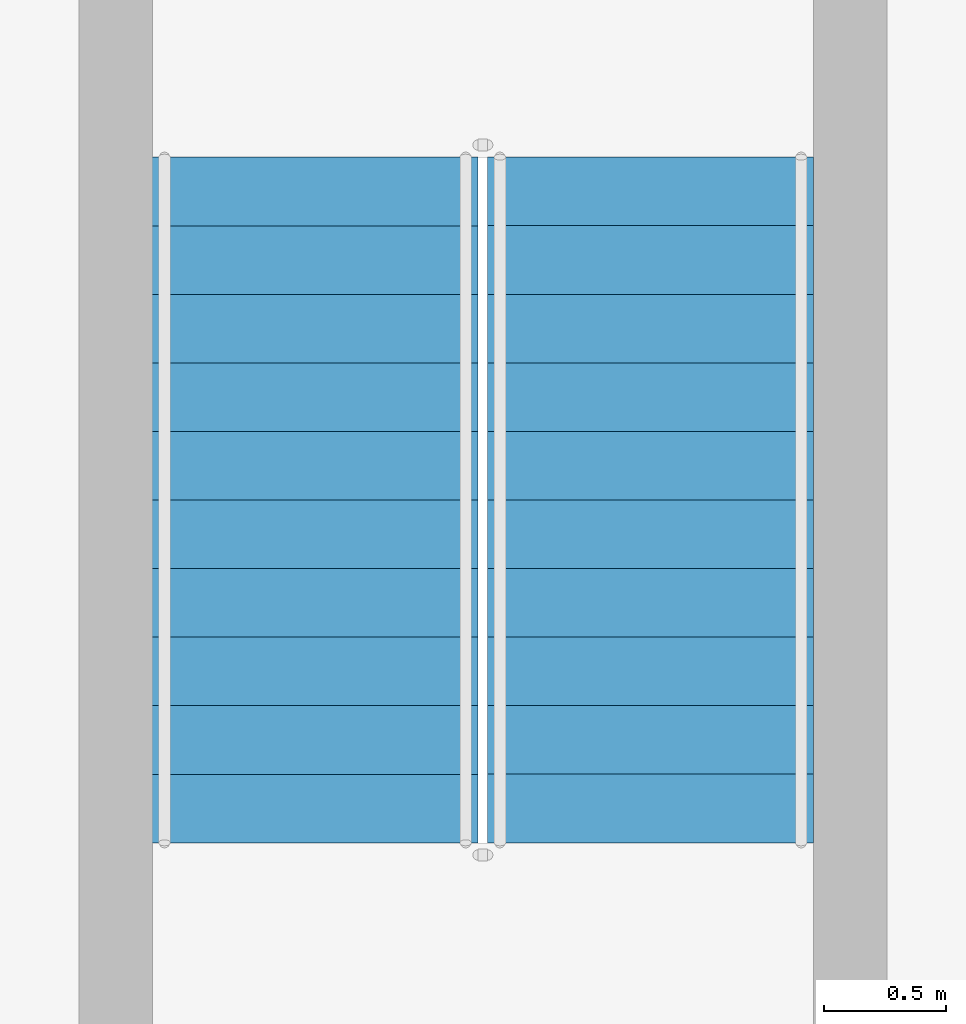
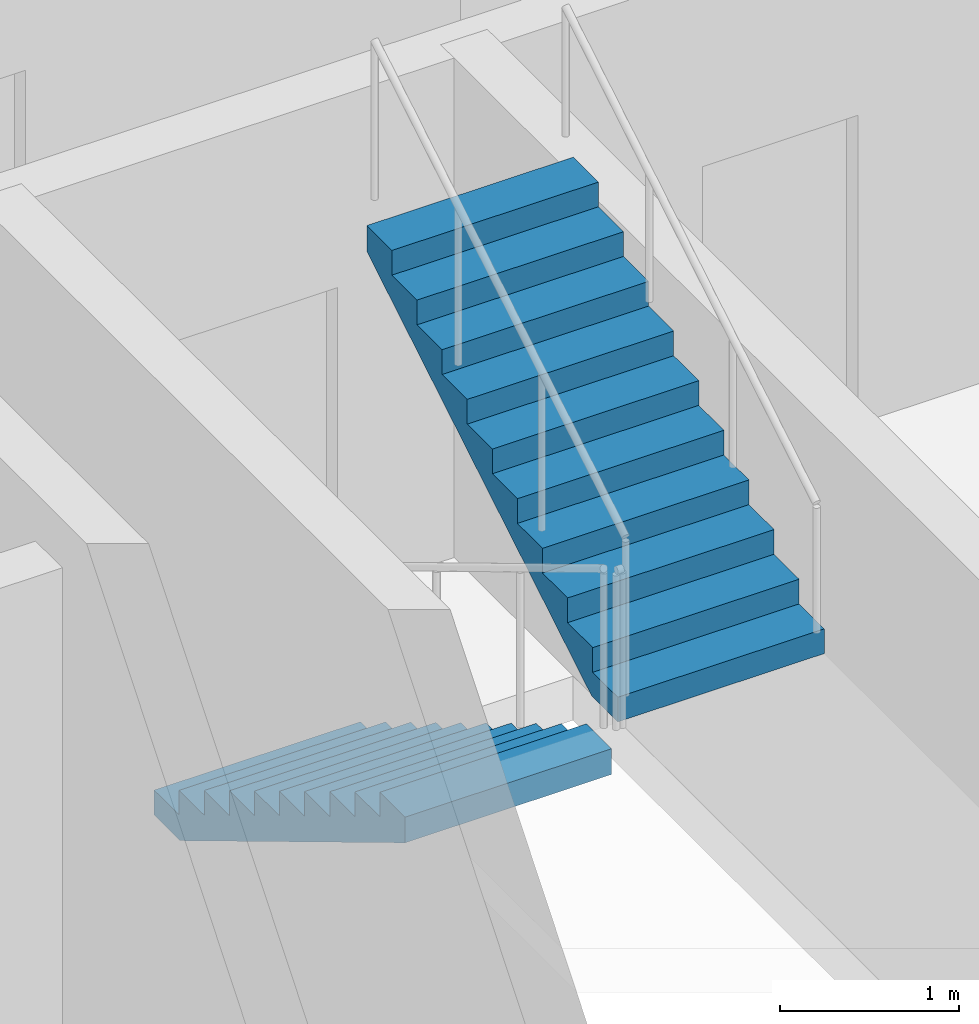
# One storey, part 26 of 33: 2 stair flights, 1 element without a shape of its own.
"""IFC4 building model written with IfcOpenShell, lengths in metres."""

from ifc_helpers import new_model, si_unit, direction, frame, origin, place, context, subcontext, project, spatial, triangles, source, transform, mapped, material, type_object, element, aggregate, save


model = new_model("IFC4")

# Units and contexts
model_context = context("Model", 3, precision=1e-05, world=origin(), true_north=direction((0.0, 1.0)))
body_context = subcontext(model_context, "Body", "Model", "MODEL_VIEW")
ifc_project = project(units=[si_unit("LENGTHUNIT", "METRE"), si_unit("AREAUNIT", "SQUARE_METRE"), si_unit("VOLUMEUNIT", "CUBIC_METRE"), si_unit("PLANEANGLEUNIT", "RADIAN"), si_unit("MASSUNIT", "GRAM", prefix="KILO")], contexts=[model_context])

# Site, building, storey
site_placement = place(None, origin())
site = spatial("IfcSite", under=ifc_project, at=site_placement, CompositionType="ELEMENT")
building_placement = place(site_placement, origin())
building = spatial("IfcBuilding", under=site, at=building_placement, Name="Ogive Portal Towers", CompositionType="ELEMENT")
storey_placement = place(building_placement, frame((0.0, 0.0, 77.89990234375)))
storey = spatial("IfcBuildingStorey", under=building, at=storey_placement, Name="L18", CompositionType="ELEMENT", Elevation=77.89990234375)

# Stair, stair flights
ifc_material = material(Name="Concrete C40/50", Category="concrete")
stair_type = type_object("IfcStairType", Name="INT-STAIR", PredefinedType="HALF_TURN_STAIR", material=ifc_material)
stair_placement = place(storey_placement, origin())
stair = element("IfcStair", 1, at=stair_placement, inside=storey, type_object=stair_type, Name="L18 Exit Stair ST-A4", PredefinedType="HALF_TURN_STAIR")
stair_flight_type = type_object("IfcStairFlightType", Name="INT-FLIGHT", PredefinedType="STRAIGHT", material=ifc_material)
shared_shape = source(origin(), body_context, "Body", "Tessellation", [
    triangles([(0.0, -0.6650390625, 0.0), (0.0, -0.384765625, 0.0), (0.0, -0.197021484375, 0.0), (0.0, -0.0830078125, 0.0), (0.0, -0.024658203125, 0.0), (0.0, -0.003173828125, 0.0), (0.0, 0.0, 0.0), (0.0, 0.003173828125, 0.0), (0.0, 0.024658203125, 0.0), (0.0, 0.0830078125, 0.0), (0.0, 0.197021484375, 0.0), (0.0, 0.384765625, 0.0), (0.0, 0.6650390625, 0.0), (0.0, -0.6650390625, 0.168212890625), (0.0, -0.384765625, 0.168212890625), (0.0, -0.197021484375, 0.168212890625), (0.0, -0.0830078125, 0.168212890625), (0.0, -0.024658203125, 0.168212890625), (0.0, -0.003173828125, 0.168212890625), (0.0, 0.0, 0.168212890625), (0.0, 0.003173828125, 0.168212890625), (0.0, 0.024658203125, 0.168212890625), (0.0, 0.0830078125, 0.168212890625), (0.0, 0.197021484375, 0.168212890625), (0.0, 0.384765625, 0.168212890625), (0.0, 0.6650390625, 0.168212890625), (0.280029296875, -0.6650390625, 0.168212890625), (0.280029296875, -0.384765625, 0.168212890625), (0.280029296875, -0.197021484375, 0.168212890625), (0.280029296875, -0.0830078125, 0.168212890625), (0.280029296875, -0.024658203125, 0.168212890625), (0.280029296875, -0.003173828125, 0.168212890625), (0.280029296875, 0.0, 0.168212890625), (0.280029296875, 0.003173828125, 0.168212890625), (0.280029296875, 0.024658203125, 0.168212890625), (0.280029296875, 0.0830078125, 0.168212890625), (0.280029296875, 0.197021484375, 0.168212890625), (0.280029296875, 0.384765625, 0.168212890625), (0.280029296875, 0.6650390625, 0.168212890625), (0.280029296875, -0.6650390625, 0.33642578125), (0.280029296875, -0.384765625, 0.33642578125), (0.280029296875, -0.197021484375, 0.33642578125), (0.280029296875, -0.0830078125, 0.33642578125), (0.280029296875, -0.024658203125, 0.33642578125), (0.280029296875, -0.003173828125, 0.33642578125), (0.280029296875, 0.0, 0.33642578125), (0.280029296875, 0.003173828125, 0.33642578125), (0.280029296875, 0.024658203125, 0.33642578125), (0.280029296875, 0.0830078125, 0.33642578125), (0.280029296875, 0.197021484375, 0.33642578125), (0.280029296875, 0.384765625, 0.33642578125), (0.280029296875, 0.6650390625, 0.33642578125), (0.56005859375, -0.6650390625, 0.33642578125), (0.56005859375, -0.384765625, 0.33642578125), (0.56005859375, -0.197021484375, 0.33642578125), (0.56005859375, -0.0830078125, 0.33642578125), (0.56005859375, -0.024658203125, 0.33642578125), (0.56005859375, -0.003173828125, 0.33642578125), (0.56005859375, 0.0, 0.33642578125), (0.56005859375, 0.003173828125, 0.33642578125), (0.56005859375, 0.024658203125, 0.33642578125), (0.56005859375, 0.0830078125, 0.33642578125), (0.56005859375, 0.197021484375, 0.33642578125), (0.56005859375, 0.384765625, 0.33642578125), (0.56005859375, 0.6650390625, 0.33642578125), (0.56005859375, -0.6650390625, 0.504638671875), (0.56005859375, -0.384765625, 0.504638671875), (0.56005859375, -0.197021484375, 0.504638671875), (0.56005859375, -0.0830078125, 0.504638671875), (0.56005859375, -0.024658203125, 0.504638671875), (0.56005859375, -0.003173828125, 0.504638671875), (0.56005859375, 0.0, 0.504638671875), (0.56005859375, 0.003173828125, 0.504638671875), (0.56005859375, 0.024658203125, 0.504638671875), (0.56005859375, 0.0830078125, 0.504638671875), (0.56005859375, 0.197021484375, 0.504638671875), (0.56005859375, 0.384765625, 0.504638671875), (0.56005859375, 0.6650390625, 0.504638671875), (0.840087890625, -0.6650390625, 0.504638671875), (0.840087890625, -0.384765625, 0.504638671875), (0.840087890625, -0.197021484375, 0.504638671875), (0.840087890625, -0.0830078125, 0.504638671875), (0.840087890625, -0.024658203125, 0.504638671875), (0.840087890625, -0.003173828125, 0.504638671875), (0.840087890625, 0.0, 0.504638671875), (0.840087890625, 0.003173828125, 0.504638671875), (0.840087890625, 0.024658203125, 0.504638671875), (0.840087890625, 0.0830078125, 0.504638671875), (0.840087890625, 0.197021484375, 0.504638671875), (0.840087890625, 0.384765625, 0.504638671875), (0.840087890625, 0.6650390625, 0.504638671875), (0.840087890625, -0.6650390625, 0.672607421875), (0.840087890625, -0.384765625, 0.672607421875), (0.840087890625, -0.197021484375, 0.672607421875), (0.840087890625, -0.0830078125, 0.672607421875), (0.840087890625, -0.024658203125, 0.672607421875), (0.840087890625, -0.003173828125, 0.672607421875), (0.840087890625, 0.0, 0.672607421875), (0.840087890625, 0.003173828125, 0.672607421875), (0.840087890625, 0.024658203125, 0.672607421875), (0.840087890625, 0.0830078125, 0.672607421875), (0.840087890625, 0.197021484375, 0.672607421875), (0.840087890625, 0.384765625, 0.672607421875), (0.840087890625, 0.6650390625, 0.672607421875), (1.1201171875, -0.6650390625, 0.672607421875), (1.1201171875, -0.384765625, 0.672607421875), (1.1201171875, -0.197021484375, 0.672607421875), (1.1201171875, -0.0830078125, 0.672607421875), (1.1201171875, -0.024658203125, 0.672607421875), (1.1201171875, -0.003173828125, 0.672607421875), (1.1201171875, 0.0, 0.672607421875), (1.1201171875, 0.003173828125, 0.672607421875), (1.1201171875, 0.024658203125, 0.672607421875), (1.1201171875, 0.0830078125, 0.672607421875), (1.1201171875, 0.197021484375, 0.672607421875), (1.1201171875, 0.384765625, 0.672607421875), (1.1201171875, 0.6650390625, 0.672607421875), (1.1201171875, -0.6650390625, 0.8408203125), (1.1201171875, -0.384765625, 0.8408203125), (1.1201171875, -0.197021484375, 0.8408203125), (1.1201171875, -0.0830078125, 0.8408203125), (1.1201171875, -0.024658203125, 0.8408203125), (1.1201171875, -0.003173828125, 0.8408203125), (1.1201171875, 0.0, 0.8408203125), (1.1201171875, 0.003173828125, 0.8408203125), (1.1201171875, 0.024658203125, 0.8408203125), (1.1201171875, 0.0830078125, 0.8408203125), (1.1201171875, 0.197021484375, 0.8408203125), (1.1201171875, 0.384765625, 0.8408203125), (1.1201171875, 0.6650390625, 0.8408203125), (1.39990234375, -0.6650390625, 0.8408203125), (1.39990234375, -0.384765625, 0.8408203125), (1.39990234375, -0.197021484375, 0.8408203125), (1.39990234375, -0.0830078125, 0.8408203125), (1.39990234375, -0.024658203125, 0.8408203125), (1.39990234375, -0.003173828125, 0.8408203125), (1.39990234375, 0.0, 0.8408203125), (1.39990234375, 0.003173828125, 0.8408203125), (1.39990234375, 0.024658203125, 0.8408203125), (1.39990234375, 0.0830078125, 0.8408203125), (1.39990234375, 0.197021484375, 0.8408203125), (1.39990234375, 0.384765625, 0.8408203125), (1.39990234375, 0.6650390625, 0.8408203125), (1.39990234375, -0.6650390625, 1.009033203125), (1.39990234375, -0.384765625, 1.009033203125), (1.39990234375, -0.197021484375, 1.009033203125), (1.39990234375, -0.0830078125, 1.009033203125), (1.39990234375, -0.024658203125, 1.009033203125), (1.39990234375, -0.003173828125, 1.009033203125), (1.39990234375, 0.0, 1.009033203125), (1.39990234375, 0.003173828125, 1.009033203125), (1.39990234375, 0.024658203125, 1.009033203125), (1.39990234375, 0.0830078125, 1.009033203125), (1.39990234375, 0.197021484375, 1.009033203125), (1.39990234375, 0.384765625, 1.009033203125), (1.39990234375, 0.6650390625, 1.009033203125), (1.679931640625, -0.6650390625, 1.009033203125), (1.679931640625, -0.384765625, 1.009033203125), (1.679931640625, -0.197021484375, 1.009033203125), (1.679931640625, -0.0830078125, 1.009033203125), (1.679931640625, -0.024658203125, 1.009033203125), (1.679931640625, -0.003173828125, 1.009033203125), (1.679931640625, 0.0, 1.009033203125), (1.679931640625, 0.003173828125, 1.009033203125), (1.679931640625, 0.024658203125, 1.009033203125), (1.679931640625, 0.0830078125, 1.009033203125), (1.679931640625, 0.197021484375, 1.009033203125), (1.679931640625, 0.384765625, 1.009033203125), (1.679931640625, 0.6650390625, 1.009033203125), (1.679931640625, -0.6650390625, 1.17724609375), (1.679931640625, -0.384765625, 1.17724609375), (1.679931640625, -0.197021484375, 1.17724609375), (1.679931640625, -0.0830078125, 1.17724609375), (1.679931640625, -0.024658203125, 1.17724609375), (1.679931640625, -0.003173828125, 1.17724609375), (1.679931640625, 0.0, 1.17724609375), (1.679931640625, 0.003173828125, 1.17724609375), (1.679931640625, 0.024658203125, 1.17724609375), (1.679931640625, 0.0830078125, 1.17724609375), (1.679931640625, 0.197021484375, 1.17724609375), (1.679931640625, 0.384765625, 1.17724609375), (1.679931640625, 0.6650390625, 1.17724609375), (1.9599609375, -0.6650390625, 1.17724609375), (1.9599609375, -0.384765625, 1.17724609375), (1.9599609375, -0.197021484375, 1.17724609375), (1.9599609375, -0.0830078125, 1.17724609375), (1.9599609375, -0.024658203125, 1.17724609375), (1.9599609375, -0.003173828125, 1.17724609375), (1.9599609375, 0.0, 1.17724609375), (1.9599609375, 0.003173828125, 1.17724609375), (1.9599609375, 0.024658203125, 1.17724609375), (1.9599609375, 0.0830078125, 1.17724609375), (1.9599609375, 0.197021484375, 1.17724609375), (1.9599609375, 0.384765625, 1.17724609375), (1.9599609375, 0.6650390625, 1.17724609375), (1.9599609375, -0.6650390625, 1.345458984375), (1.9599609375, -0.384765625, 1.345458984375), (1.9599609375, -0.197021484375, 1.345458984375), (1.9599609375, -0.0830078125, 1.345458984375), (1.9599609375, -0.024658203125, 1.345458984375), (1.9599609375, -0.003173828125, 1.345458984375), (1.9599609375, 0.0, 1.345458984375), (1.9599609375, 0.003173828125, 1.345458984375), (1.9599609375, 0.024658203125, 1.345458984375), (1.9599609375, 0.0830078125, 1.345458984375), (1.9599609375, 0.197021484375, 1.345458984375), (1.9599609375, 0.384765625, 1.345458984375), (1.9599609375, 0.6650390625, 1.345458984375), (2.239990234375, -0.6650390625, 1.345458984375), (2.239990234375, -0.384765625, 1.345458984375), (2.239990234375, -0.197021484375, 1.345458984375), (2.239990234375, -0.0830078125, 1.345458984375), (2.239990234375, -0.024658203125, 1.345458984375), (2.239990234375, -0.003173828125, 1.345458984375), (2.239990234375, 0.0, 1.345458984375), (2.239990234375, 0.003173828125, 1.345458984375), (2.239990234375, 0.024658203125, 1.345458984375), (2.239990234375, 0.0830078125, 1.345458984375), (2.239990234375, 0.197021484375, 1.345458984375), (2.239990234375, 0.384765625, 1.345458984375), (2.239990234375, 0.6650390625, 1.345458984375), (2.239990234375, -0.6650390625, 1.513671875), (2.239990234375, -0.384765625, 1.513671875), (2.239990234375, -0.197021484375, 1.513671875), (2.239990234375, -0.0830078125, 1.513671875), (2.239990234375, -0.024658203125, 1.513671875), (2.239990234375, -0.003173828125, 1.513671875), (2.239990234375, 0.0, 1.513671875), (2.239990234375, 0.003173828125, 1.513671875), (2.239990234375, 0.024658203125, 1.513671875), (2.239990234375, 0.0830078125, 1.513671875), (2.239990234375, 0.197021484375, 1.513671875), (2.239990234375, 0.384765625, 1.513671875), (2.239990234375, 0.6650390625, 1.513671875), (2.52001953125, -0.6650390625, 1.513671875), (2.52001953125, -0.384765625, 1.513671875), (2.52001953125, -0.197021484375, 1.513671875), (2.52001953125, -0.0830078125, 1.513671875), (2.52001953125, -0.024658203125, 1.513671875), (2.52001953125, -0.003173828125, 1.513671875), (2.52001953125, 0.0, 1.513671875), (2.52001953125, 0.003173828125, 1.513671875), (2.52001953125, 0.024658203125, 1.513671875), (2.52001953125, 0.0830078125, 1.513671875), (2.52001953125, 0.197021484375, 1.513671875), (2.52001953125, 0.384765625, 1.513671875), (2.52001953125, 0.6650390625, 1.513671875), (2.52001953125, -0.6650390625, 1.681884765625), (2.52001953125, -0.384765625, 1.681884765625), (2.52001953125, -0.197021484375, 1.681884765625), (2.52001953125, -0.0830078125, 1.681884765625), (2.52001953125, -0.024658203125, 1.681884765625), (2.52001953125, -0.003173828125, 1.681884765625), (2.52001953125, 0.0, 1.681884765625), (2.52001953125, 0.003173828125, 1.681884765625), (2.52001953125, 0.024658203125, 1.681884765625), (2.52001953125, 0.0830078125, 1.681884765625), (2.52001953125, 0.197021484375, 1.681884765625), (2.52001953125, 0.384765625, 1.681884765625), (2.52001953125, 0.6650390625, 1.681884765625), (2.800048828125, -0.6650390625, 1.681884765625), (2.800048828125, -0.384765625, 1.681884765625), (2.800048828125, -0.197021484375, 1.681884765625), (2.800048828125, -0.0830078125, 1.681884765625), (2.800048828125, -0.024658203125, 1.681884765625), (2.800048828125, -0.003173828125, 1.681884765625), (2.800048828125, 0.0, 1.681884765625), (2.800048828125, 0.003173828125, 1.681884765625), (2.800048828125, 0.024658203125, 1.681884765625), (2.800048828125, 0.0830078125, 1.681884765625), (2.800048828125, 0.197021484375, 1.681884765625), (2.800048828125, 0.384765625, 1.681884765625), (2.800048828125, 0.6650390625, 1.681884765625), (2.800048828125, -0.6650390625, 1.5068359375), (2.800048828125, -0.384765625, 1.5068359375), (2.800048828125, -0.197021484375, 1.5068359375), (2.800048828125, -0.0830078125, 1.5068359375), (2.800048828125, -0.024658203125, 1.5068359375), (2.800048828125, -0.003173828125, 1.5068359375), (2.800048828125, 0.0, 1.5068359375), (2.800048828125, 0.003173828125, 1.5068359375), (2.800048828125, 0.024658203125, 1.5068359375), (2.800048828125, 0.0830078125, 1.5068359375), (2.800048828125, 0.197021484375, 1.5068359375), (2.800048828125, 0.384765625, 1.5068359375), (2.800048828125, 0.6650390625, 1.5068359375), (0.291015625, -0.6650390625, 0.0), (0.291015625, -0.384765625, 0.0), (0.291015625, -0.197021484375, 0.0), (0.291015625, -0.0830078125, 0.0), (0.291015625, -0.024658203125, 0.0), (0.291015625, -0.003173828125, 0.0), (0.291015625, 0.0, 0.0), (0.291015625, 0.003173828125, 0.0), (0.291015625, 0.024658203125, 0.0), (0.291015625, 0.0830078125, 0.0), (0.291015625, 0.197021484375, 0.0), (0.291015625, 0.384765625, 0.0), (0.291015625, 0.6650390625, 0.0)], [[1, 14, 15], [1, 15, 2], [2, 15, 16], [2, 16, 3], [3, 16, 17], [3, 17, 4], [4, 17, 18], [4, 18, 5], [5, 18, 19], [5, 19, 6], [6, 19, 20], [6, 20, 7], [7, 20, 21], [7, 21, 8], [8, 21, 22], [8, 22, 9], [9, 22, 23], [9, 23, 10], [10, 23, 24], [10, 24, 11], [11, 24, 25], [11, 25, 12], [12, 25, 26], [12, 26, 13], [14, 27, 28], [14, 28, 15], [15, 28, 29], [15, 29, 16], [16, 29, 30], [16, 30, 17], [17, 30, 31], [17, 31, 18], [18, 31, 32], [18, 32, 19], [19, 32, 33], [19, 33, 20], [20, 33, 34], [20, 34, 21], [21, 34, 35], [21, 35, 22], [22, 35, 36], [22, 36, 23], [23, 36, 37], [23, 37, 24], [24, 37, 38], [24, 38, 25], [25, 38, 39], [25, 39, 26], [27, 40, 41], [27, 41, 28], [28, 41, 42], [28, 42, 29], [29, 42, 43], [29, 43, 30], [30, 43, 44], [30, 44, 31], [31, 44, 45], [31, 45, 32], [32, 45, 46], [32, 46, 33], [33, 46, 47], [33, 47, 34], [34, 47, 48], [34, 48, 35], [35, 48, 49], [35, 49, 36], [36, 49, 50], [36, 50, 37], [37, 50, 51], [37, 51, 38], [38, 51, 52], [38, 52, 39], [40, 53, 54], [40, 54, 41], [41, 54, 55], [41, 55, 42], [42, 55, 56], [42, 56, 43], [43, 56, 57], [43, 57, 44], [44, 57, 58], [44, 58, 45], [45, 58, 59], [45, 59, 46], [46, 59, 60], [46, 60, 47], [47, 60, 61], [47, 61, 48], [48, 61, 62], [48, 62, 49], [49, 62, 63], [49, 63, 50], [50, 63, 64], [50, 64, 51], [51, 64, 65], [51, 65, 52], [53, 66, 67], [53, 67, 54], [54, 67, 68], [54, 68, 55], [55, 68, 69], [55, 69, 56], [56, 69, 70], [56, 70, 57], [57, 70, 71], [57, 71, 58], [58, 71, 72], [58, 72, 59], [59, 72, 73], [59, 73, 60], [60, 73, 74], [60, 74, 61], [61, 74, 75], [61, 75, 62], [62, 75, 76], [62, 76, 63], [63, 76, 77], [63, 77, 64], [64, 77, 78], [64, 78, 65], [66, 79, 80], [66, 80, 67], [67, 80, 81], [67, 81, 68], [68, 81, 82], [68, 82, 69], [69, 82, 83], [69, 83, 70], [70, 83, 84], [70, 84, 71], [71, 84, 85], [71, 85, 72], [72, 85, 86], [72, 86, 73], [73, 86, 87], [73, 87, 74], [74, 87, 88], [74, 88, 75], [75, 88, 89], [75, 89, 76], [76, 89, 90], [76, 90, 77], [77, 90, 91], [77, 91, 78], [79, 92, 93], [79, 93, 80], [80, 93, 94], [80, 94, 81], [81, 94, 95], [81, 95, 82], [82, 95, 96], [82, 96, 83], [83, 96, 97], [83, 97, 84], [84, 97, 98], [84, 98, 85], [85, 98, 99], [85, 99, 86], [86, 99, 100], [86, 100, 87], [87, 100, 101], [87, 101, 88], [88, 101, 102], [88, 102, 89], [89, 102, 103], [89, 103, 90], [90, 103, 104], [90, 104, 91], [92, 105, 106], [92, 106, 93], [93, 106, 107], [93, 107, 94], [94, 107, 108], [94, 108, 95], [95, 108, 109], [95, 109, 96], [96, 109, 110], [96, 110, 97], [97, 110, 111], [97, 111, 98], [98, 111, 112], [98, 112, 99], [99, 112, 113], [99, 113, 100], [100, 113, 114], [100, 114, 101], [101, 114, 115], [101, 115, 102], [102, 115, 116], [102, 116, 103], [103, 116, 117], [103, 117, 104], [105, 118, 119], [105, 119, 106], [106, 119, 120], [106, 120, 107], [107, 120, 121], [107, 121, 108], [108, 121, 122], [108, 122, 109], [109, 122, 123], [109, 123, 110], [110, 123, 124], [110, 124, 111], [111, 124, 125], [111, 125, 112], [112, 125, 126], [112, 126, 113], [113, 126, 127], [113, 127, 114], [114, 127, 128], [114, 128, 115], [115, 128, 129], [115, 129, 116], [116, 129, 130], [116, 130, 117], [118, 131, 132], [118, 132, 119], [119, 132, 133], [119, 133, 120], [120, 133, 134], [120, 134, 121], [121, 134, 135], [121, 135, 122], [122, 135, 136], [122, 136, 123], [123, 136, 137], [123, 137, 124], [124, 137, 138], [124, 138, 125], [125, 138, 139], [125, 139, 126], [126, 139, 140], [126, 140, 127], [127, 140, 141], [127, 141, 128], [128, 141, 142], [128, 142, 129], [129, 142, 143], [129, 143, 130], [131, 144, 145], [131, 145, 132], [132, 145, 146], [132, 146, 133], [133, 146, 147], [133, 147, 134], [134, 147, 148], [134, 148, 135], [135, 148, 149], [135, 149, 136], [136, 149, 150], [136, 150, 137], [137, 150, 151], [137, 151, 138], [138, 151, 152], [138, 152, 139], [139, 152, 153], [139, 153, 140], [140, 153, 154], [140, 154, 141], [141, 154, 155], [141, 155, 142], [142, 155, 156], [142, 156, 143], [144, 157, 158], [144, 158, 145], [145, 158, 159], [145, 159, 146], [146, 159, 160], [146, 160, 147], [147, 160, 161], [147, 161, 148], [148, 161, 162], [148, 162, 149], [149, 162, 163], [149, 163, 150], [150, 163, 164], [150, 164, 151], [151, 164, 165], [151, 165, 152], [152, 165, 166], [152, 166, 153], [153, 166, 167], [153, 167, 154], [154, 167, 168], [154, 168, 155], [155, 168, 169], [155, 169, 156], [157, 170, 171], [157, 171, 158], [158, 171, 172], [158, 172, 159], [159, 172, 173], [159, 173, 160], [160, 173, 174], [160, 174, 161], [161, 174, 175], [161, 175, 162], [162, 175, 176], [162, 176, 163], [163, 176, 177], [163, 177, 164], [164, 177, 178], [164, 178, 165], [165, 178, 179], [165, 179, 166], [166, 179, 180], [166, 180, 167], [167, 180, 181], [167, 181, 168], [168, 181, 182], [168, 182, 169], [170, 183, 184], [170, 184, 171], [171, 184, 185], [171, 185, 172], [172, 185, 186], [172, 186, 173], [173, 186, 187], [173, 187, 174], [174, 187, 188], [174, 188, 175], [175, 188, 189], [175, 189, 176], [176, 189, 190], [176, 190, 177], [177, 190, 191], [177, 191, 178], [178, 191, 192], [178, 192, 179], [179, 192, 193], [179, 193, 180], [180, 193, 194], [180, 194, 181], [181, 194, 195], [181, 195, 182], [183, 196, 197], [183, 197, 184], [184, 197, 198], [184, 198, 185], [185, 198, 199], [185, 199, 186], [186, 199, 200], [186, 200, 187], [187, 200, 201], [187, 201, 188], [188, 201, 202], [188, 202, 189], [189, 202, 203], [189, 203, 190], [190, 203, 204], [190, 204, 191], [191, 204, 205], [191, 205, 192], [192, 205, 206], [192, 206, 193], [193, 206, 207], [193, 207, 194], [194, 207, 208], [194, 208, 195], [196, 209, 210], [196, 210, 197], [197, 210, 211], [197, 211, 198], [198, 211, 212], [198, 212, 199], [199, 212, 213], [199, 213, 200], [200, 213, 214], [200, 214, 201], [201, 214, 215], [201, 215, 202], [202, 215, 216], [202, 216, 203], [203, 216, 217], [203, 217, 204], [204, 217, 218], [204, 218, 205], [205, 218, 219], [205, 219, 206], [206, 219, 220], [206, 220, 207], [207, 220, 221], [207, 221, 208], [209, 222, 223], [209, 223, 210], [210, 223, 224], [210, 224, 211], [211, 224, 225], [211, 225, 212], [212, 225, 226], [212, 226, 213], [213, 226, 227], [213, 227, 214], [214, 227, 228], [214, 228, 215], [215, 228, 229], [215, 229, 216], [216, 229, 230], [216, 230, 217], [217, 230, 231], [217, 231, 218], [218, 231, 232], [218, 232, 219], [219, 232, 233], [219, 233, 220], [220, 233, 234], [220, 234, 221], [222, 235, 236], [222, 236, 223], [223, 236, 237], [223, 237, 224], [224, 237, 238], [224, 238, 225], [225, 238, 239], [225, 239, 226], [226, 239, 240], [226, 240, 227], [227, 240, 241], [227, 241, 228], [228, 241, 242], [228, 242, 229], [229, 242, 243], [229, 243, 230], [230, 243, 244], [230, 244, 231], [231, 244, 245], [231, 245, 232], [232, 245, 246], [232, 246, 233], [233, 246, 247], [233, 247, 234], [235, 248, 249], [235, 249, 236], [236, 249, 250], [236, 250, 237], [237, 250, 251], [237, 251, 238], [238, 251, 252], [238, 252, 239], [239, 252, 253], [239, 253, 240], [240, 253, 254], [240, 254, 241], [241, 254, 255], [241, 255, 242], [242, 255, 256], [242, 256, 243], [243, 256, 257], [243, 257, 244], [244, 257, 258], [244, 258, 245], [245, 258, 259], [245, 259, 246], [246, 259, 260], [246, 260, 247], [248, 261, 262], [248, 262, 249], [249, 262, 263], [249, 263, 250], [250, 263, 264], [250, 264, 251], [251, 264, 265], [251, 265, 252], [252, 265, 266], [252, 266, 253], [253, 266, 267], [253, 267, 254], [254, 267, 268], [254, 268, 255], [255, 268, 269], [255, 269, 256], [256, 269, 270], [256, 270, 257], [257, 270, 271], [257, 271, 258], [258, 271, 272], [258, 272, 259], [259, 272, 273], [259, 273, 260], [261, 274, 275], [261, 275, 262], [262, 275, 276], [262, 276, 263], [263, 276, 277], [263, 277, 264], [264, 277, 278], [264, 278, 265], [265, 278, 279], [265, 279, 266], [266, 279, 280], [266, 280, 267], [267, 280, 281], [267, 281, 268], [268, 281, 282], [268, 282, 269], [269, 282, 283], [269, 283, 270], [270, 283, 284], [270, 284, 271], [271, 284, 285], [271, 285, 272], [272, 285, 286], [272, 286, 273], [274, 287, 288], [274, 288, 275], [275, 288, 289], [275, 289, 276], [276, 289, 290], [276, 290, 277], [277, 290, 291], [277, 291, 278], [278, 291, 292], [278, 292, 279], [279, 292, 293], [279, 293, 280], [280, 293, 294], [280, 294, 281], [281, 294, 295], [281, 295, 282], [282, 295, 296], [282, 296, 283], [283, 296, 297], [283, 297, 284], [284, 297, 298], [284, 298, 285], [285, 298, 299], [285, 299, 286], [287, 1, 2], [287, 2, 288], [288, 2, 3], [288, 3, 289], [289, 3, 4], [289, 4, 290], [290, 4, 5], [290, 5, 291], [291, 5, 6], [291, 6, 292], [292, 6, 7], [292, 7, 293], [293, 7, 8], [293, 8, 294], [294, 8, 9], [294, 9, 295], [295, 9, 10], [295, 10, 296], [296, 10, 11], [296, 11, 297], [297, 11, 12], [297, 12, 298], [298, 12, 13], [298, 13, 299], [1, 287, 274], [13, 286, 299], [274, 261, 248], [286, 260, 273], [274, 248, 235], [286, 247, 260], [274, 235, 222], [286, 234, 247], [274, 222, 209], [286, 221, 234], [209, 196, 183], [221, 195, 208], [274, 209, 183], [286, 195, 221], [183, 170, 157], [195, 169, 182], [274, 183, 157], [286, 169, 195], [157, 144, 131], [169, 143, 156], [274, 157, 131], [286, 143, 169], [131, 118, 105], [143, 117, 130], [274, 131, 105], [286, 117, 143], [1, 274, 105], [13, 117, 286], [105, 92, 79], [117, 91, 104], [79, 66, 53], [91, 65, 78], [105, 79, 53], [117, 65, 91], [53, 40, 27], [65, 39, 52], [105, 53, 27], [117, 39, 65], [1, 105, 27], [13, 39, 117], [27, 14, 1], [39, 13, 26]], closed=True),
])
stair_flight_1_placement = place(storey_placement, frame((87.6650390625, 29.169921875, 0.0), z_axis=(0.0, 0.0, 1.0), x_axis=(0.0, -1.0, 0.0)))
stair_flight_1 = element("IfcStairFlight", 2, at=stair_flight_1_placement, type_object=stair_flight_type, Name="ST-A4 flight 1", NumberOfRisers=11, NumberOfTreads=10, PredefinedType="STRAIGHT", RiserHeight=0.168181818, TreadLength=0.28, context=body_context, shape_type="MappedRepresentation", body=[
    mapped(shared_shape, transform((0.0, 0.0, 0.0), scale=1.0)),
])
stair_flight_2_placement = place(storey_placement, frame((89.034912109375, 26.3701171875, 1.85009765625), z_axis=(0.0, 0.0, 1.0), x_axis=(0.0, 1.0, 0.0)))
stair_flight_2 = element("IfcStairFlight", 3, at=stair_flight_2_placement, type_object=stair_flight_type, Name="ST-A4 flight 2", NumberOfRisers=11, NumberOfTreads=10, PredefinedType="STRAIGHT", RiserHeight=0.168181818, TreadLength=0.28, context=body_context, shape_type="MappedRepresentation", body=[
    mapped(shared_shape, transform((0.0, 0.0, 0.0), scale=1.0)),
])
aggregate(stair, [stair_flight_1, stair_flight_2])

save(model, "model.ifc")
